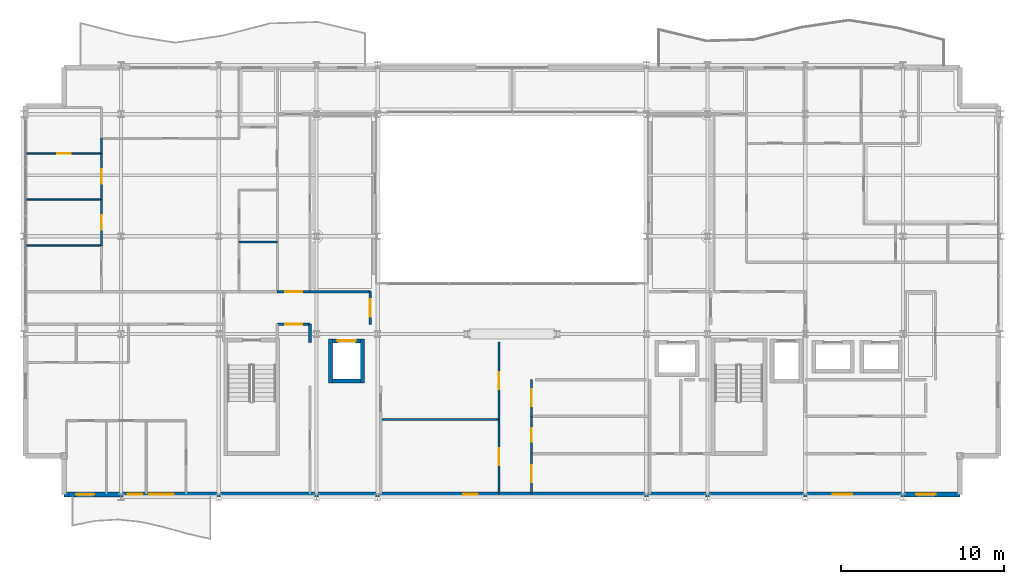
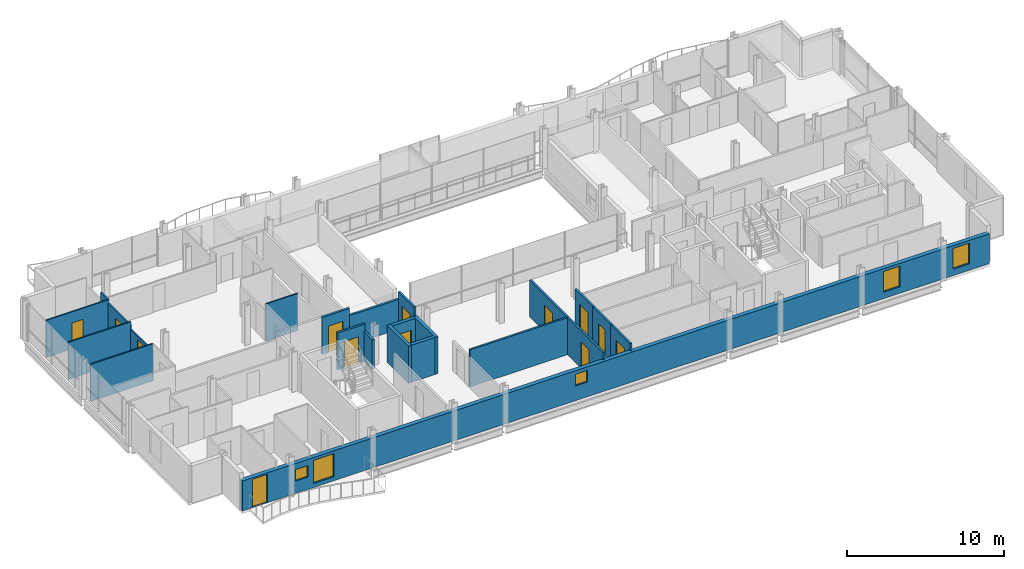
# One storey, part 29 of 35: 23 walls, 13 doors, 5 windows, 18 openings.
"""IFC4 building model written with IfcOpenShell, lengths in metres."""

from ifc_helpers import new_model, si_unit, direction, frame, frame_2d, origin, place, context, subcontext, project, spatial, rectangle, extrude, material, layer, layer_set, type_object, element, fill, save


model = new_model("IFC4")

# Units and contexts
model_context = context("Model", 3, precision=1e-05, world=origin(), true_north=direction((0.0, 1.0)))
body_context = subcontext(model_context, "Body", "Model", "MODEL_VIEW")
ifc_project = project(units=[si_unit("LENGTHUNIT", "METRE"), si_unit("AREAUNIT", "SQUARE_METRE"), si_unit("VOLUMEUNIT", "CUBIC_METRE"), si_unit("PLANEANGLEUNIT", "RADIAN"), si_unit("MASSUNIT", "GRAM", prefix="KILO")], contexts=[model_context])

# Site, building, storey
site_placement = place(None, origin())
site = spatial("IfcSite", under=ifc_project, at=site_placement, CompositionType="ELEMENT")
building_placement = place(site_placement, origin())
building = spatial("IfcBuilding", under=site, at=building_placement, Name="Brevholm Reach", CompositionType="ELEMENT")
storey_placement = place(building_placement, frame((0.0, 0.0, 183.199951171875)))
storey = spatial("IfcBuildingStorey", under=building, at=storey_placement, Name="L55", CompositionType="ELEMENT", Elevation=183.199951171875)

# Walls
ifc_material_1 = material(Name="Concrete C45/55", Category="concrete")
ifc_layer_1 = layer(ifc_material_1, 0.239990234375)
ifc_layer_set_1 = layer_set([ifc_layer_1], Name="Concrete C45/55")
wall_type_1 = type_object("IfcWallType", Name="WAL-COR-240", PredefinedType="SHEAR", material=ifc_layer_set_1)
for number, where, z_axis, x_axis, name in (
    (1, (18.8701171875, 7.0, 0.0), (0.0, 0.0, 1.0), (0.0, 1.0, 0.0), "L55 Lift FFL-1 Shaft Wall W"),
    (2, (20.830078125, 7.0, 0.0), (0.0, 0.0, 1.0), (0.0, 1.0, 0.0), "L55 Lift FFL-1 Shaft Wall E"),
):
    element("IfcWall", number, at=place(storey_placement, frame(where, z_axis=z_axis, x_axis=x_axis)), inside=storey, type_object=wall_type_1, Name=name, PredefinedType="SHEAR", context=body_context, shape_type="SweptSolid", body=[
        extrude(rectangle(XDim=2.699951171875, YDim=0.239990234375, at=frame_2d((1.35009765625, 0.0))), origin(), (0.0, 0.0, 1.0), 2.89013671875),
    ])
wall_1_placement = place(storey_placement, frame((18.989990234375, 7.1201171875, 0.0), z_axis=(0.0, 0.0, 1.0), x_axis=(1.0, 0.0, 0.0)))
element("IfcWall", 3, at=wall_1_placement, inside=storey, type_object=wall_type_1, Name="L55 Lift FFL-1 Shaft Wall S", PredefinedType="SHEAR", context=body_context, shape_type="SweptSolid", body=[
    extrude(rectangle(XDim=1.719970703125, YDim=0.239990234375, at=frame_2d((0.85986328125, 0.0))), origin(), (0.0, 0.0, 1.0), 2.89013671875),
])

# Wall, opening, door
wall_2_placement = place(storey_placement, frame((18.989990234375, 9.580078125, 0.0), z_axis=(0.0, 0.0, 1.0), x_axis=(1.0, 0.0, 0.0)))
wall_2 = element("IfcWall", 4, at=wall_2_placement, inside=storey, type_object=wall_type_1, Name="L55 Lift FFL-1 Shaft Wall N", PredefinedType="SHEAR", context=body_context, shape_type="SweptSolid", body=[
    extrude(rectangle(XDim=1.719970703125, YDim=0.239990234375, at=frame_2d((0.85986328125, 0.0))), origin(), (0.0, 0.0, 1.0), 2.89013671875),
])
opening_1_placement = place(wall_2_placement, frame((0.31005859375, 0.0, 0.0)))
opening_1 = element("IfcOpeningElement", 5, at=opening_1_placement, cuts=wall_2, Name="Opening LD-FFL-1", PredefinedType="OPENING", context=body_context, shape_type="SweptSolid", body=[
    extrude(rectangle(XDim=1.10009765625, YDim=2.06005859375, at=frame_2d((0.550048828125, 1.030029296875))), frame((0.0, 0.1298828125, 0.0), z_axis=(0.0, -1.0, 0.0), x_axis=(1.0, 0.0, 0.0)), (0.0, 0.0, 1.0), 0.260009765625),
])
ifc_material_2 = material(Name="Brushed Stainless Steel Fire-Rated Sliding Lift Door", Category="steel")
door_type_1 = type_object("IfcDoorType", Name="DOR-LFT-1100", OperationType="NOTDEFINED", PredefinedType="DOOR", material=ifc_material_2)
door_1_placement = place(opening_1_placement, origin())
door_1 = element("IfcDoor", 6, at=door_1_placement, inside=storey, type_object=door_type_1, Name="L55 Lift FFL-1 Sliding Landing Door", OperationType="SLIDING_TO_LEFT", OverallHeight=2.06005859375, OverallWidth=1.10009765625, PredefinedType="DOOR", context=body_context, shape_type="SweptSolid", body=[
    extrude(rectangle(XDim=1.10009765625, YDim=2.06005859375, at=frame_2d((0.550048828125, 1.030029296875))), frame((0.0, 0.02490234375, 0.0), z_axis=(0.0, -1.0, 0.0), x_axis=(1.0, 0.0, 0.0)), (0.0, 0.0, 1.0), 0.050048828125),
])
fill(opening_1, door_1)

# Wall, openings, door, windows
ifc_material_3 = material(Name="Concrete C40/50", Category="concrete")
ifc_layer_2 = layer(ifc_material_3, 0.300048828125)
ifc_layer_set_2 = layer_set([ifc_layer_2], Name="Concrete C40/50")
wall_type_2 = type_object("IfcWallType", Name="WAL-EXT-300", PredefinedType="STANDARD", material=ifc_layer_set_2)
wall_3_placement = place(storey_placement, frame((2.5, 0.14990234375, 0.0), z_axis=(0.0, 0.0, 1.0), x_axis=(1.0, 0.0, 0.0)))
wall_3 = element("IfcWall", 7, at=wall_3_placement, inside=storey, type_object=wall_type_2, Name="L55 Facade Wall WAL-L55-S", PredefinedType="STANDARD", context=body_context, shape_type="SweptSolid", body=[
    extrude(rectangle(XDim=55.0, YDim=0.300048828125, at=frame_2d((27.5, 0.0))), origin(), (0.0, 0.0, 1.0), 2.33203125),
])
opening_2_placement = place(wall_3_placement, frame((0.75, 0.0, 0.0)))
opening_2 = element("IfcOpeningElement", 8, at=opening_2_placement, cuts=wall_3, Name="Opening BD-01", PredefinedType="OPENING", context=body_context, shape_type="SweptSolid", body=[
    extrude(rectangle(XDim=1.10009765625, YDim=2.199951171875, at=frame_2d((0.550048828125, 1.10009765625))), frame((0.0, 0.159912109375, 0.0), z_axis=(0.0, -1.0, 0.0), x_axis=(1.0, 0.0, 0.0)), (0.0, 0.0, 1.0), 0.320068359375),
])
opening_3_placement = place(wall_3_placement, frame((5.22998046875, 0.0, 0.31201171875)))
opening_3 = element("IfcOpeningElement", 9, at=opening_3_placement, cuts=wall_3, Name="Opening WN-05", PredefinedType="OPENING", context=body_context, shape_type="SweptSolid", body=[
    extrude(rectangle(XDim=1.5, YDim=1.800048828125, at=frame_2d((0.75, 0.89990234375))), frame((0.0, 0.159912109375, 0.0), z_axis=(0.0, -1.0, 0.0), x_axis=(1.0, 0.0, 0.0)), (0.0, 0.0, 1.0), 0.320068359375),
])
opening_4_placement = place(wall_3_placement, frame((24.5, 0.0, 1.14990234375)))
opening_4 = element("IfcOpeningElement", 10, at=opening_4_placement, cuts=wall_3, Name="Opening WN-09", PredefinedType="OPENING", context=body_context, shape_type="SweptSolid", body=[
    extrude(rectangle(XDim=0.89990234375, YDim=0.89990234375, at=frame_2d((0.449951171875, 0.449951171875))), frame((0.0, 0.159912109375, 0.0), z_axis=(0.0, -1.0, 0.0), x_axis=(1.0, 0.0, 0.0)), (0.0, 0.0, 1.0), 0.320068359375),
])
opening_5_placement = place(wall_3_placement, frame((47.199951171875, 0.0, 0.511962890625)))
opening_5 = element("IfcOpeningElement", 11, at=opening_5_placement, cuts=wall_3, Name="Opening WN-08", PredefinedType="OPENING", context=body_context, shape_type="SweptSolid", body=[
    extrude(rectangle(XDim=1.199951171875, YDim=1.60009765625, at=frame_2d((0.60009765625, 0.800048828125))), frame((0.0, 0.159912109375, 0.0), z_axis=(0.0, -1.0, 0.0), x_axis=(1.0, 0.0, 0.0)), (0.0, 0.0, 1.0), 0.320068359375),
])
opening_6_placement = place(wall_3_placement, frame((52.300048828125, 0.0, 0.511962890625)))
opening_6 = element("IfcOpeningElement", 12, at=opening_6_placement, cuts=wall_3, Name="Opening WN-08", PredefinedType="OPENING", context=body_context, shape_type="SweptSolid", body=[
    extrude(rectangle(XDim=1.199951171875, YDim=1.60009765625, at=frame_2d((0.60009765625, 0.800048828125))), frame((0.0, 0.159912109375, 0.0), z_axis=(0.0, -1.0, 0.0), x_axis=(1.0, 0.0, 0.0)), (0.0, 0.0, 1.0), 0.320068359375),
])
opening_7_placement = place(wall_3_placement, frame((3.90966796875, 0.0, 0.949951171875)))
opening_7 = element("IfcOpeningElement", 13, at=opening_7_placement, cuts=wall_3, Name="Opening WN-09", PredefinedType="OPENING", context=body_context, shape_type="SweptSolid", body=[
    extrude(rectangle(XDim=0.89990234375, YDim=0.89990234375, at=frame_2d((0.449951171875, 0.449951171875))), frame((0.0, 0.159912109375, 0.0), z_axis=(0.0, -1.0, 0.0), x_axis=(1.0, 0.0, 0.0)), (0.0, 0.0, 1.0), 0.320068359375),
])
ifc_material_4 = material(Name="Dark Anodised Aluminium and Triple-Glazed Glass", Category="aluminium")
door_type_2 = type_object("IfcDoorType", Name="DOR-BALC-1100", OperationType="NOTDEFINED", PredefinedType="DOOR", material=ifc_material_4)
door_2_placement = place(opening_2_placement, origin())
door_2 = element("IfcDoor", 14, at=door_2_placement, inside=storey, type_object=door_type_2, Name="L55 Exterior Door DOR-L55-BL-SW", OperationType="SINGLE_SWING_RIGHT", OverallHeight=2.199951171875, OverallWidth=1.10009765625, PredefinedType="DOOR", context=body_context, shape_type="SweptSolid", body=[
    extrude(rectangle(XDim=1.10009765625, YDim=2.199951171875, at=frame_2d((0.550048828125, 1.10009765625))), frame((0.0, 0.02490234375, 0.0), z_axis=(0.0, -1.0, 0.0), x_axis=(1.0, 0.0, 0.0)), (0.0, 0.0, 1.0), 0.050048828125),
])
fill(opening_2, door_2)
ifc_material_5 = material(Name="Dark Anodised Aluminium and Solar-Control IGU Glass", Category="aluminium")
window_type_1 = type_object("IfcWindowType", Name="WIN-POR-0900", PartitioningType="SINGLE_PANEL", PredefinedType="WINDOW", material=ifc_material_5)
window_1_placement = place(opening_4_placement, origin())
window_1 = element("IfcWindow", 15, at=window_1_placement, inside=storey, type_object=window_type_1, Name="L55 Window WIN-L55-S-POR", OverallHeight=0.89990234375, OverallWidth=0.89990234375, PartitioningType="SINGLE_PANEL", PredefinedType="WINDOW", context=body_context, shape_type="SweptSolid", body=[
    extrude(rectangle(XDim=0.89990234375, YDim=0.89990234375, at=frame_2d((0.449951171875, 0.449951171875))), frame((0.0, 0.030029296875, 0.0), z_axis=(0.0, -1.0, 0.0), x_axis=(1.0, 0.0, 0.0)), (0.0, 0.0, 1.0), 0.06005859375),
])
fill(opening_4, window_1)
window_2_placement = place(opening_7_placement, origin())
window_2 = element("IfcWindow", 16, at=window_2_placement, inside=storey, type_object=window_type_1, Name="L55 Bedroom Window 052", OverallHeight=0.89990234375, OverallWidth=0.89990234375, PartitioningType="SINGLE_PANEL", PredefinedType="WINDOW", context=body_context, shape_type="SweptSolid", body=[
    extrude(rectangle(XDim=0.89990234375, YDim=0.89990234375, at=frame_2d((0.449951171875, 0.449951171875))), frame((0.0, 0.030029296875, 0.0), z_axis=(0.0, -1.0, 0.0), x_axis=(1.0, 0.0, 0.0)), (0.0, 0.0, 1.0), 0.06005859375),
])
fill(opening_7, window_2)
ifc_material_6 = material(Name="Dark Anodised Aluminium and Solar-Control IGU Glass", Category="aluminium")
window_type_2 = type_object("IfcWindowType", Name="WIN-RES-1200", PartitioningType="SINGLE_PANEL", PredefinedType="WINDOW", material=ifc_material_6)
window_3_placement = place(opening_5_placement, origin())
window_3 = element("IfcWindow", 17, at=window_3_placement, inside=storey, type_object=window_type_2, Name="L55 Window WIN-L55-S-E1", OverallHeight=1.60009765625, OverallWidth=1.199951171875, PartitioningType="SINGLE_PANEL", PredefinedType="WINDOW", context=body_context, shape_type="SweptSolid", body=[
    extrude(rectangle(XDim=1.199951171875, YDim=1.60009765625, at=frame_2d((0.60009765625, 0.800048828125))), frame((0.0, 0.030029296875, 0.0), z_axis=(0.0, -1.0, 0.0), x_axis=(1.0, 0.0, 0.0)), (0.0, 0.0, 1.0), 0.06005859375),
])
fill(opening_5, window_3)
window_4_placement = place(opening_6_placement, origin())
window_4 = element("IfcWindow", 18, at=window_4_placement, inside=storey, type_object=window_type_2, Name="L55 Window WIN-L55-S-E2", OverallHeight=1.60009765625, OverallWidth=1.199951171875, PartitioningType="SINGLE_PANEL", PredefinedType="WINDOW", context=body_context, shape_type="SweptSolid", body=[
    extrude(rectangle(XDim=1.199951171875, YDim=1.60009765625, at=frame_2d((0.60009765625, 0.800048828125))), frame((0.0, 0.030029296875, 0.0), z_axis=(0.0, -1.0, 0.0), x_axis=(1.0, 0.0, 0.0)), (0.0, 0.0, 1.0), 0.06005859375),
])
fill(opening_6, window_4)
ifc_material_7 = material(Name="Dark Anodised Aluminium and Solar-Control IGU Glass", Category="aluminium")
window_type_3 = type_object("IfcWindowType", Name="WIN-RES-1500", PartitioningType="SINGLE_PANEL", PredefinedType="WINDOW", material=ifc_material_7)
window_5_placement = place(opening_3_placement, origin())
window_5 = element("IfcWindow", 19, at=window_5_placement, inside=storey, type_object=window_type_3, Name="L55 Window WIN-L55-S-W1", OverallHeight=1.800048828125, OverallWidth=1.5, PartitioningType="SINGLE_PANEL", PredefinedType="WINDOW", context=body_context, shape_type="SweptSolid", body=[
    extrude(rectangle(XDim=1.5, YDim=1.800048828125, at=frame_2d((0.75, 0.89990234375))), frame((0.0, 0.030029296875, 0.0), z_axis=(0.0, -1.0, 0.0), x_axis=(1.0, 0.0, 0.0)), (0.0, 0.0, 1.0), 0.06005859375),
])
fill(opening_3, window_5)

# Walls
ifc_material_8 = material(Name="Moisture-Resistant Acoustic Gypsum Stud Partition 100 mm", Category="gypsum")
ifc_layer_3 = layer(ifc_material_8, 0.10009765625)
ifc_layer_set_3 = layer_set([ifc_layer_3], Name="Moisture-Resistant Acoustic Gypsum Stud Partition 100 mm")
wall_type_3 = type_object("IfcWallType", Name="WAL-PRT-100", PredefinedType="PARTITIONING", material=ifc_layer_set_3)
wall_4_placement = place(storey_placement, frame((13.25, 15.64990234375, 0.0), z_axis=(0.0, 0.0, 1.0), x_axis=(1.0, 0.0, 0.0)))
element("IfcWall", 20, at=wall_4_placement, inside=storey, type_object=wall_type_3, Name="L55 Internal Partition 068", PredefinedType="PARTITIONING", context=body_context, shape_type="SweptSolid", body=[
    extrude(rectangle(XDim=2.345947265625, YDim=0.10009765625, at=frame_2d((1.1728515625, 0.0))), origin(), (0.0, 0.0, 1.0), 2.89013671875),
])
for number, where, z_axis, x_axis, name in (
    (21, (0.199951171875, 15.425048828125, 0.0), (0.0, 0.0, 1.0), (1.0, 0.0, 0.0), "L55 Internal Partition 075"),
    (22, (0.199951171875, 18.25, 0.0), (0.0, 0.0, 1.0), (1.0, 0.0, 0.0), "L55 Internal Partition 077"),
):
    element("IfcWall", number, at=place(storey_placement, frame(where, z_axis=z_axis, x_axis=x_axis)), inside=storey, type_object=wall_type_3, Name=name, PredefinedType="PARTITIONING", context=body_context, shape_type="SweptSolid", body=[
        extrude(rectangle(XDim=4.60009765625, YDim=0.10009765625, at=frame_2d((2.300048828125, 0.0))), origin(), (0.0, 0.0, 1.0), 2.89013671875),
    ])

# Wall, opening, door
wall_5_placement = place(storey_placement, frame((4.800048828125, 15.428955078125, 0.0), z_axis=(0.0, 0.0, 1.0), x_axis=(0.0, 1.0, 0.0)))
wall_5 = element("IfcWall", 23, at=wall_5_placement, inside=storey, type_object=wall_type_3, Name="L55 Internal Partition 078", PredefinedType="PARTITIONING", context=body_context, shape_type="SweptSolid", body=[
    extrude(rectangle(XDim=2.821044921875, YDim=0.10009765625, at=frame_2d((1.41064453125, 0.0))), origin(), (0.0, 0.0, 1.0), 2.325439453125),
])
opening_8_placement = place(wall_5_placement, frame((0.970458984375, 0.0, 0.0)))
opening_8 = element("IfcOpeningElement", 24, at=opening_8_placement, cuts=wall_5, Name="Opening ID-01", PredefinedType="OPENING", context=body_context, shape_type="SweptSolid", body=[
    extrude(rectangle(XDim=0.8798828125, YDim=2.0400390625, at=frame_2d((0.43994140625, 1.02001953125))), frame((0.0, 0.06005859375, 0.0), z_axis=(0.0, -1.0, 0.0), x_axis=(1.0, 0.0, 0.0)), (0.0, 0.0, 1.0), 0.1201171875),
])
ifc_material_9 = material(Name="Lacquered Ash Solid-Core Acoustic Internal Door", Category="timber")
door_type_3 = type_object("IfcDoorType", Name="DOR-INT-880", OperationType="NOTDEFINED", PredefinedType="DOOR", material=ifc_material_9)
door_3_placement = place(opening_8_placement, origin())
door_3 = element("IfcDoor", 25, at=door_3_placement, inside=storey, type_object=door_type_3, Name="L55 Internal Door 036", OperationType="SINGLE_SWING_LEFT", OverallHeight=2.0400390625, OverallWidth=0.8798828125, PredefinedType="DOOR", context=body_context, shape_type="SweptSolid", body=[
    extrude(rectangle(XDim=0.8798828125, YDim=2.0400390625, at=frame_2d((0.43994140625, 1.02001953125))), frame((0.0, 0.02490234375, 0.0), z_axis=(0.0, -1.0, 0.0), x_axis=(1.0, 0.0, 0.0)), (0.0, 0.0, 1.0), 0.050048828125),
])
fill(opening_8, door_3)

wall_6_placement = place(storey_placement, frame((0.199951171875, 21.074951171875, 0.0), z_axis=(0.0, 0.0, 1.0), x_axis=(1.0, 0.0, 0.0)))
wall_6 = element("IfcWall", 26, at=wall_6_placement, inside=storey, type_object=wall_type_3, Name="L55 Internal Partition 079", PredefinedType="PARTITIONING", context=body_context, shape_type="SweptSolid", body=[
    extrude(rectangle(XDim=4.60009765625, YDim=0.10009765625, at=frame_2d((2.300048828125, 0.0))), origin(), (0.0, 0.0, 1.0), 2.89013671875),
])
opening_9_placement = place(wall_6_placement, frame((1.889892578125, 0.0, 0.0)))
opening_9 = element("IfcOpeningElement", 27, at=opening_9_placement, cuts=wall_6, Name="Opening ID-03", PredefinedType="OPENING", context=body_context, shape_type="SweptSolid", body=[
    extrude(rectangle(XDim=0.820068359375, YDim=2.02001953125, at=frame_2d((0.41015625, 1.010009765625))), frame((0.0, 0.06005859375, 0.0), z_axis=(0.0, -1.0, 0.0), x_axis=(1.0, 0.0, 0.0)), (0.0, 0.0, 1.0), 0.1201171875),
])
ifc_material_10 = material(Name="Moisture-Resistant Painted Timber Internal Bathroom Door", Category="wood")
door_type_4 = type_object("IfcDoorType", Name="DOR-BATH-820", OperationType="NOTDEFINED", PredefinedType="DOOR", material=ifc_material_10)
door_4_placement = place(opening_9_placement, origin())
door_4 = element("IfcDoor", 28, at=door_4_placement, inside=storey, type_object=door_type_4, Name="L55 Access Door 044", OperationType="SINGLE_SWING_LEFT", OverallHeight=2.02001953125, OverallWidth=0.820068359375, PredefinedType="DOOR", context=body_context, shape_type="SweptSolid", body=[
    extrude(rectangle(XDim=0.820068359375, YDim=2.02001953125, at=frame_2d((0.41015625, 1.010009765625))), frame((0.0, 0.02490234375, 0.0), z_axis=(0.0, -1.0, 0.0), x_axis=(1.0, 0.0, 0.0)), (0.0, 0.0, 1.0), 0.050048828125),
])
fill(opening_9, door_4)

wall_7_placement = place(storey_placement, frame((4.800048828125, 18.25390625, 0.0), z_axis=(0.0, 0.0, 1.0), x_axis=(0.0, 1.0, 0.0)))
wall_7 = element("IfcWall", 29, at=wall_7_placement, inside=storey, type_object=wall_type_3, Name="L55 Internal Partition 080", PredefinedType="PARTITIONING", context=body_context, shape_type="SweptSolid", body=[
    extrude(rectangle(XDim=2.821044921875, YDim=0.10009765625, at=frame_2d((1.41064453125, 0.0))), origin(), (0.0, 0.0, 1.0), 2.61376953125),
])
opening_10_placement = place(wall_7_placement, frame((0.970458984375, 0.0, 0.0)))
opening_10 = element("IfcOpeningElement", 30, at=opening_10_placement, cuts=wall_7, Name="Opening ID-01", PredefinedType="OPENING", context=body_context, shape_type="SweptSolid", body=[
    extrude(rectangle(XDim=0.8798828125, YDim=2.0400390625, at=frame_2d((0.43994140625, 1.02001953125))), frame((0.0, 0.06005859375, 0.0), z_axis=(0.0, -1.0, 0.0), x_axis=(1.0, 0.0, 0.0)), (0.0, 0.0, 1.0), 0.1201171875),
])
door_5_placement = place(opening_10_placement, origin())
door_5 = element("IfcDoor", 31, at=door_5_placement, inside=storey, type_object=door_type_3, Name="L55 Internal Door 037", OperationType="SINGLE_SWING_RIGHT", OverallHeight=2.0400390625, OverallWidth=0.8798828125, PredefinedType="DOOR", context=body_context, shape_type="SweptSolid", body=[
    extrude(rectangle(XDim=0.8798828125, YDim=2.0400390625, at=frame_2d((0.43994140625, 1.02001953125))), frame((0.0, 0.02490234375, 0.0), z_axis=(0.0, -1.0, 0.0), x_axis=(1.0, 0.0, 0.0)), (0.0, 0.0, 1.0), 0.050048828125),
])
fill(opening_10, door_5)

# Wall
wall_8_placement = place(storey_placement, frame((4.800048828125, 21.0791015625, 0.0), z_axis=(0.0, 0.0, 1.0), x_axis=(0.0, 1.0, 0.0)))
element("IfcWall", 32, at=wall_8_placement, inside=storey, type_object=wall_type_3, Name="L55 Internal Partition 083", PredefinedType="PARTITIONING", context=body_context, shape_type="SweptSolid", body=[
    extrude(rectangle(XDim=0.923095703125, YDim=0.10009765625, at=frame_2d((0.46142578125, 0.0))), origin(), (0.0, 0.0, 1.0), 2.89013671875),
])

# Wall, opening, door
ifc_material_11 = material(Name="Twin-Stud Acoustic Fire-Rated Gypsum Partition 140 mm", Category="gypsum")
ifc_layer_4 = layer(ifc_material_11, 0.139892578125)
ifc_layer_set_4 = layer_set([ifc_layer_4], Name="Twin-Stud Acoustic Fire-Rated Gypsum Partition 140 mm")
wall_type_4 = type_object("IfcWallType", Name="WAL-PRT-140", PredefinedType="PARTITIONING", material=ifc_layer_set_4)
wall_9_placement = place(storey_placement, frame((29.199951171875, 0.179931640625, 0.0), z_axis=(0.0, 0.0, 1.0), x_axis=(0.0, 1.0, 0.0)))
wall_9 = element("IfcWall", 33, at=wall_9_placement, inside=storey, type_object=wall_type_4, Name="L55 Internal Partition 001", PredefinedType="PARTITIONING", context=body_context, shape_type="SweptSolid", body=[
    extrude(rectangle(XDim=4.578369140625, YDim=0.139892578125, at=frame_2d((2.2890625, 0.0))), origin(), (0.0, 0.0, 1.0), 2.89013671875),
])
opening_11_placement = place(wall_9_placement, frame((1.76416015625, 0.0, 0.0)))
opening_11 = element("IfcOpeningElement", 34, at=opening_11_placement, cuts=wall_9, Name="Opening FD-01", PredefinedType="OPENING", context=body_context, shape_type="SweptSolid", body=[
    extrude(rectangle(XDim=1.050048828125, YDim=2.06005859375, at=frame_2d((0.52490234375, 1.030029296875))), frame((0.0, 0.079833984375, 0.0), z_axis=(0.0, -1.0, 0.0), x_axis=(1.0, 0.0, 0.0)), (0.0, 0.0, 1.0), 0.159912109375),
])
ifc_material_12 = material(Name="Hardwood-Lipped Steel-Core Fire and Smoke Door", Category="steel")
door_type_5 = type_object("IfcDoorType", Name="DOR-INT-FD60S", OperationType="NOTDEFINED", PredefinedType="DOOR", material=ifc_material_12)
door_6_placement = place(opening_11_placement, origin())
door_6 = element("IfcDoor", 35, at=door_6_placement, inside=storey, type_object=door_type_5, Name="L55 Internal Door 001", OperationType="SINGLE_SWING_RIGHT", OverallHeight=2.06005859375, OverallWidth=1.050048828125, PredefinedType="DOOR", context=body_context, shape_type="SweptSolid", body=[
    extrude(rectangle(XDim=1.050048828125, YDim=2.06005859375, at=frame_2d((0.52490234375, 1.030029296875))), frame((0.0, 0.02490234375, 0.0), z_axis=(0.0, -1.0, 0.0), x_axis=(1.0, 0.0, 0.0)), (0.0, 0.0, 1.0), 0.050048828125),
])
fill(opening_11, door_6)

wall_10_placement = place(storey_placement, frame((29.199951171875, 4.73974609375, 0.0), z_axis=(0.0, 0.0, 1.0), x_axis=(0.0, 1.0, 0.0)))
wall_10 = element("IfcWall", 36, at=wall_10_placement, inside=storey, type_object=wall_type_4, Name="L55 Internal Partition 002", PredefinedType="PARTITIONING", context=body_context, shape_type="SweptSolid", body=[
    extrude(rectangle(XDim=4.771484375, YDim=0.139892578125, at=frame_2d((2.3857421875, 0.0))), origin(), (0.0, 0.0, 1.0), 2.89013671875),
])
opening_12_placement = place(wall_10_placement, frame((1.86083984375, 0.0, 0.0)))
opening_12 = element("IfcOpeningElement", 37, at=opening_12_placement, cuts=wall_10, Name="Opening FD-01", PredefinedType="OPENING", context=body_context, shape_type="SweptSolid", body=[
    extrude(rectangle(XDim=1.050048828125, YDim=2.06005859375, at=frame_2d((0.52490234375, 1.030029296875))), frame((0.0, 0.079833984375, 0.0), z_axis=(0.0, -1.0, 0.0), x_axis=(1.0, 0.0, 0.0)), (0.0, 0.0, 1.0), 0.159912109375),
])
door_7_placement = place(opening_12_placement, origin())
door_7 = element("IfcDoor", 38, at=door_7_placement, inside=storey, type_object=door_type_5, Name="L55 Internal Door 002", OperationType="SINGLE_SWING_LEFT", OverallHeight=2.06005859375, OverallWidth=1.050048828125, PredefinedType="DOOR", context=body_context, shape_type="SweptSolid", body=[
    extrude(rectangle(XDim=1.050048828125, YDim=2.06005859375, at=frame_2d((0.52490234375, 1.030029296875))), frame((0.0, 0.02490234375, 0.0), z_axis=(0.0, -1.0, 0.0), x_axis=(1.0, 0.0, 0.0)), (0.0, 0.0, 1.0), 0.050048828125),
])
fill(opening_12, door_7)

wall_11_placement = place(storey_placement, frame((31.199951171875, 0.179931640625, 0.0), z_axis=(0.0, 0.0, 1.0), x_axis=(0.0, 1.0, 0.0)))
wall_11 = element("IfcWall", 39, at=wall_11_placement, inside=storey, type_object=wall_type_4, Name="L55 Internal Partition 003", PredefinedType="PARTITIONING", context=body_context, shape_type="SweptSolid", body=[
    extrude(rectangle(XDim=2.4814453125, YDim=0.139892578125, at=frame_2d((1.24072265625, 0.0))), origin(), (0.0, 0.0, 1.0), 2.89013671875),
])
opening_13_placement = place(wall_11_placement, frame((0.7158203125, 0.0, 0.0)))
opening_13 = element("IfcOpeningElement", 40, at=opening_13_placement, cuts=wall_11, Name="Opening FD-01", PredefinedType="OPENING", context=body_context, shape_type="SweptSolid", body=[
    extrude(rectangle(XDim=1.050048828125, YDim=2.06005859375, at=frame_2d((0.52490234375, 1.030029296875))), frame((0.0, 0.079833984375, 0.0), z_axis=(0.0, -1.0, 0.0), x_axis=(1.0, 0.0, 0.0)), (0.0, 0.0, 1.0), 0.159912109375),
])
door_8_placement = place(opening_13_placement, origin())
door_8 = element("IfcDoor", 41, at=door_8_placement, inside=storey, type_object=door_type_5, Name="L55 Internal Door 003", OperationType="SINGLE_SWING_RIGHT", OverallHeight=2.06005859375, OverallWidth=1.050048828125, PredefinedType="DOOR", context=body_context, shape_type="SweptSolid", body=[
    extrude(rectangle(XDim=1.050048828125, YDim=2.06005859375, at=frame_2d((0.52490234375, 1.030029296875))), frame((0.0, 0.02490234375, 0.0), z_axis=(0.0, -1.0, 0.0), x_axis=(1.0, 0.0, 0.0)), (0.0, 0.0, 1.0), 0.050048828125),
])
fill(opening_13, door_8)

wall_12_placement = place(storey_placement, frame((31.199951171875, 2.642578125, 0.0), z_axis=(0.0, 0.0, 1.0), x_axis=(0.0, 1.0, 0.0)))
wall_12 = element("IfcWall", 42, at=wall_12_placement, inside=storey, type_object=wall_type_4, Name="L55 Internal Partition 004", PredefinedType="PARTITIONING", context=body_context, shape_type="SweptSolid", body=[
    extrude(rectangle(XDim=2.318603515625, YDim=0.139892578125, at=frame_2d((1.1591796875, 0.0))), origin(), (0.0, 0.0, 1.0), 2.89013671875),
])
opening_14_placement = place(wall_12_placement, frame((0.749267578125, 0.0, 0.0)))
opening_14 = element("IfcOpeningElement", 43, at=opening_14_placement, cuts=wall_12, Name="Opening ID-02", PredefinedType="OPENING", context=body_context, shape_type="SweptSolid", body=[
    extrude(rectangle(XDim=0.820068359375, YDim=2.02001953125, at=frame_2d((0.41015625, 1.010009765625))), frame((0.0, 0.079833984375, 0.0), z_axis=(0.0, -1.0, 0.0), x_axis=(1.0, 0.0, 0.0)), (0.0, 0.0, 1.0), 0.159912109375),
])
ifc_material_13 = material(Name="Moisture-Resistant Painted Timber Fire-Rated Riser and Service Door", Category="wood")
door_type_6 = type_object("IfcDoorType", Name="DOR-SRV-820", OperationType="NOTDEFINED", PredefinedType="DOOR", material=ifc_material_13)
door_9_placement = place(opening_14_placement, origin())
door_9 = element("IfcDoor", 44, at=door_9_placement, inside=storey, type_object=door_type_6, Name="L55 Internal Door 004", OperationType="SINGLE_SWING_LEFT", OverallHeight=2.02001953125, OverallWidth=0.820068359375, PredefinedType="DOOR", context=body_context, shape_type="SweptSolid", body=[
    extrude(rectangle(XDim=0.820068359375, YDim=2.02001953125, at=frame_2d((0.41015625, 1.010009765625))), frame((0.0, 0.02490234375, 0.0), z_axis=(0.0, -1.0, 0.0), x_axis=(1.0, 0.0, 0.0)), (0.0, 0.0, 1.0), 0.050048828125),
])
fill(opening_14, door_9)

wall_13_placement = place(storey_placement, frame((31.199951171875, 4.942626953125, 0.0), z_axis=(0.0, 0.0, 1.0), x_axis=(0.0, 1.0, 0.0)))
wall_13 = element("IfcWall", 45, at=wall_13_placement, inside=storey, type_object=wall_type_4, Name="L55 Internal Partition 005", PredefinedType="PARTITIONING", context=body_context, shape_type="SweptSolid", body=[
    extrude(rectangle(XDim=2.2685546875, YDim=0.139892578125, at=frame_2d((1.13427734375, 0.0))), origin(), (0.0, 0.0, 1.0), 2.89013671875),
])
opening_15_placement = place(wall_13_placement, frame((0.609375, 0.0, 0.0)))
opening_15 = element("IfcOpeningElement", 46, at=opening_15_placement, cuts=wall_13, Name="Opening FD-01", PredefinedType="OPENING", context=body_context, shape_type="SweptSolid", body=[
    extrude(rectangle(XDim=1.050048828125, YDim=2.06005859375, at=frame_2d((0.52490234375, 1.030029296875))), frame((0.0, 0.079833984375, 0.0), z_axis=(0.0, -1.0, 0.0), x_axis=(1.0, 0.0, 0.0)), (0.0, 0.0, 1.0), 0.159912109375),
])
door_10_placement = place(opening_15_placement, origin())
door_10 = element("IfcDoor", 47, at=door_10_placement, inside=storey, type_object=door_type_5, Name="L55 Internal Door 005", OperationType="SINGLE_SWING_RIGHT", OverallHeight=2.06005859375, OverallWidth=1.050048828125, PredefinedType="DOOR", context=body_context, shape_type="SweptSolid", body=[
    extrude(rectangle(XDim=1.050048828125, YDim=2.06005859375, at=frame_2d((0.52490234375, 1.030029296875))), frame((0.0, 0.02490234375, 0.0), z_axis=(0.0, -1.0, 0.0), x_axis=(1.0, 0.0, 0.0)), (0.0, 0.0, 1.0), 0.050048828125),
])
fill(opening_15, door_10)

# Walls
wall_14_placement = place(storey_placement, frame((21.949951171875, 4.7470703125, 0.0), z_axis=(0.0, 0.0, 1.0), x_axis=(1.0, 0.0, 0.0)))
element("IfcWall", 48, at=wall_14_placement, inside=storey, type_object=wall_type_4, Name="L55 Internal Partition 006", PredefinedType="PARTITIONING", context=body_context, shape_type="SweptSolid", body=[
    extrude(rectangle(XDim=7.24609375, YDim=0.139892578125, at=frame_2d((3.623046875, 0.0))), origin(), (0.0, 0.0, 1.0), 2.89013671875),
])
ifc_material_14 = material(Name="Twin-Frame Fire-Rated Gypsum Board and Mineral Wool 160 mm", Category="gypsum")
ifc_layer_5 = layer(ifc_material_14, 0.159912109375)
ifc_layer_set_5 = layer_set([ifc_layer_5], Name="Twin-Frame Fire-Rated Gypsum Board and Mineral Wool 160 mm")
wall_type_5 = type_object("IfcWallType", Name="WAL-PRT-160", PredefinedType="PARTITIONING", material=ifc_layer_set_5)
wall_15_placement = place(storey_placement, frame((17.60009765625, 9.48876953125, 0.0), z_axis=(0.0, 0.0, 1.0), x_axis=(0.0, 1.0, 0.0)))
element("IfcWall", 49, at=wall_15_placement, inside=storey, type_object=wall_type_5, Name="L55 Internal Partition 020", PredefinedType="PARTITIONING", context=body_context, shape_type="SweptSolid", body=[
    extrude(rectangle(XDim=1.111328125, YDim=0.159912109375, at=frame_2d((0.5556640625, 0.0))), origin(), (0.0, 0.0, 1.0), 2.325439453125),
])

# Wall, opening, door
wall_16_placement = place(storey_placement, frame((15.60009765625, 10.60009765625, 0.0), z_axis=(0.0, 0.0, 1.0), x_axis=(1.0, 0.0, 0.0)))
wall_16 = element("IfcWall", 50, at=wall_16_placement, inside=storey, type_object=wall_type_5, Name="L55 Internal Partition 021", PredefinedType="PARTITIONING", context=body_context, shape_type="SweptSolid", body=[
    extrude(rectangle(XDim=2.0, YDim=0.159912109375, at=frame_2d((1.0, 0.0))), origin(), (0.0, 0.0, 1.0), 2.89013671875),
])
opening_16_placement = place(wall_16_placement, frame((0.47509765625, 0.0, 0.0)))
opening_16 = element("IfcOpeningElement", 51, at=opening_16_placement, cuts=wall_16, Name="Opening FD-01", PredefinedType="OPENING", context=body_context, shape_type="SweptSolid", body=[
    extrude(rectangle(XDim=1.050048828125, YDim=2.06005859375, at=frame_2d((0.52490234375, 1.030029296875))), frame((0.0, 0.08984375, 0.0), z_axis=(0.0, -1.0, 0.0), x_axis=(1.0, 0.0, 0.0)), (0.0, 0.0, 1.0), 0.179931640625),
])
door_11_placement = place(opening_16_placement, origin())
door_11 = element("IfcDoor", 52, at=door_11_placement, inside=storey, type_object=door_type_5, Name="L55 Internal Door 012", OperationType="SINGLE_SWING_LEFT", OverallHeight=2.06005859375, OverallWidth=1.050048828125, PredefinedType="DOOR", context=body_context, shape_type="SweptSolid", body=[
    extrude(rectangle(XDim=1.050048828125, YDim=2.06005859375, at=frame_2d((0.52490234375, 1.030029296875))), frame((0.0, 0.02490234375, 0.0), z_axis=(0.0, -1.0, 0.0), x_axis=(1.0, 0.0, 0.0)), (0.0, 0.0, 1.0), 0.050048828125),
])
fill(opening_16, door_11)

wall_17_placement = place(storey_placement, frame((21.300048828125, 10.588623046875, 0.0), z_axis=(0.0, 0.0, 1.0), x_axis=(0.0, 1.0, 0.0)))
wall_17 = element("IfcWall", 53, at=wall_17_placement, inside=storey, type_object=wall_type_5, Name="L55 Internal Partition 025", PredefinedType="PARTITIONING", context=body_context, shape_type="SweptSolid", body=[
    extrude(rectangle(XDim=2.011474609375, YDim=0.159912109375, at=frame_2d((1.005859375, 0.0))), origin(), (0.0, 0.0, 1.0), 2.89013671875),
])
opening_17_placement = place(wall_17_placement, frame((0.480712890625, 0.0, 0.0)))
opening_17 = element("IfcOpeningElement", 54, at=opening_17_placement, cuts=wall_17, Name="Opening FD-01", PredefinedType="OPENING", context=body_context, shape_type="SweptSolid", body=[
    extrude(rectangle(XDim=1.050048828125, YDim=2.06005859375, at=frame_2d((0.52490234375, 1.030029296875))), frame((0.0, 0.08984375, 0.0), z_axis=(0.0, -1.0, 0.0), x_axis=(1.0, 0.0, 0.0)), (0.0, 0.0, 1.0), 0.179931640625),
])
door_12_placement = place(opening_17_placement, origin())
door_12 = element("IfcDoor", 55, at=door_12_placement, inside=storey, type_object=door_type_5, Name="L55 Internal Door 013", OperationType="SINGLE_SWING_RIGHT", OverallHeight=2.06005859375, OverallWidth=1.050048828125, PredefinedType="DOOR", context=body_context, shape_type="SweptSolid", body=[
    extrude(rectangle(XDim=1.050048828125, YDim=2.06005859375, at=frame_2d((0.52490234375, 1.030029296875))), frame((0.0, 0.02490234375, 0.0), z_axis=(0.0, -1.0, 0.0), x_axis=(1.0, 0.0, 0.0)), (0.0, 0.0, 1.0), 0.050048828125),
])
fill(opening_17, door_12)

wall_18_placement = place(storey_placement, frame((15.588623046875, 12.60009765625, 0.0), z_axis=(0.0, 0.0, 1.0), x_axis=(1.0, 0.0, 0.0)))
wall_18 = element("IfcWall", 56, at=wall_18_placement, inside=storey, type_object=wall_type_5, Name="L55 Internal Partition 026", PredefinedType="PARTITIONING", context=body_context, shape_type="SweptSolid", body=[
    extrude(rectangle(XDim=2.022705078125, YDim=0.159912109375, at=frame_2d((1.01123046875, 0.0))), origin(), (0.0, 0.0, 1.0), 2.89013671875),
])
opening_18_placement = place(wall_18_placement, frame((0.486328125, 0.0, 0.0)))
opening_18 = element("IfcOpeningElement", 57, at=opening_18_placement, cuts=wall_18, Name="Opening FD-01", PredefinedType="OPENING", context=body_context, shape_type="SweptSolid", body=[
    extrude(rectangle(XDim=1.050048828125, YDim=2.06005859375, at=frame_2d((0.52490234375, 1.030029296875))), frame((0.0, 0.08984375, 0.0), z_axis=(0.0, -1.0, 0.0), x_axis=(1.0, 0.0, 0.0)), (0.0, 0.0, 1.0), 0.179931640625),
])
door_13_placement = place(opening_18_placement, origin())
door_13 = element("IfcDoor", 58, at=door_13_placement, inside=storey, type_object=door_type_5, Name="L55 Internal Door 014", OperationType="SINGLE_SWING_LEFT", OverallHeight=2.06005859375, OverallWidth=1.050048828125, PredefinedType="DOOR", context=body_context, shape_type="SweptSolid", body=[
    extrude(rectangle(XDim=1.050048828125, YDim=2.06005859375, at=frame_2d((0.52490234375, 1.030029296875))), frame((0.0, 0.02490234375, 0.0), z_axis=(0.0, -1.0, 0.0), x_axis=(1.0, 0.0, 0.0)), (0.0, 0.0, 1.0), 0.050048828125),
])
fill(opening_18, door_13)

# Wall
wall_19_placement = place(storey_placement, frame((17.5927734375, 12.60009765625, 0.0), z_axis=(0.0, 0.0, 1.0), x_axis=(1.0, 0.0, 0.0)))
element("IfcWall", 59, at=wall_19_placement, inside=storey, type_object=wall_type_5, Name="L55 Internal Partition 031", PredefinedType="PARTITIONING", context=body_context, shape_type="SweptSolid", body=[
    extrude(rectangle(XDim=3.707275390625, YDim=0.159912109375, at=frame_2d((1.853515625, 0.0))), origin(), (0.0, 0.0, 1.0), 2.325439453125),
])

save(model, "model.ifc")
